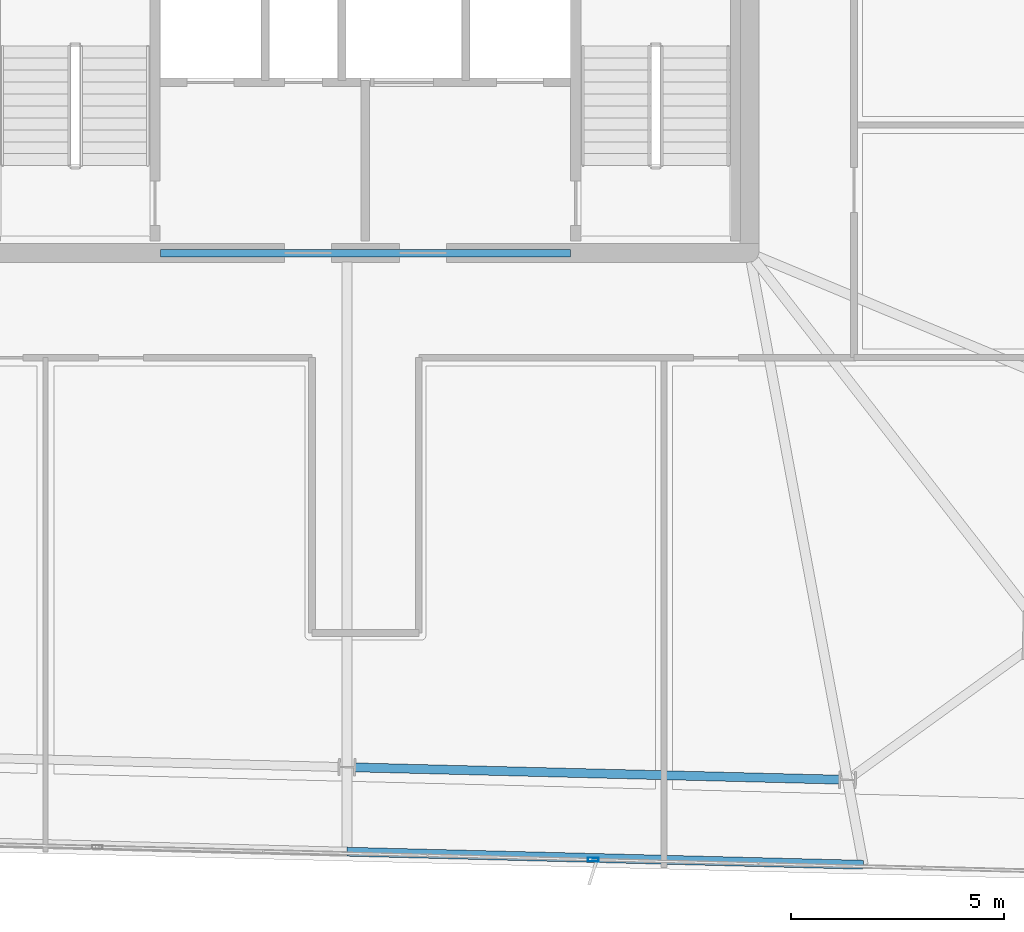
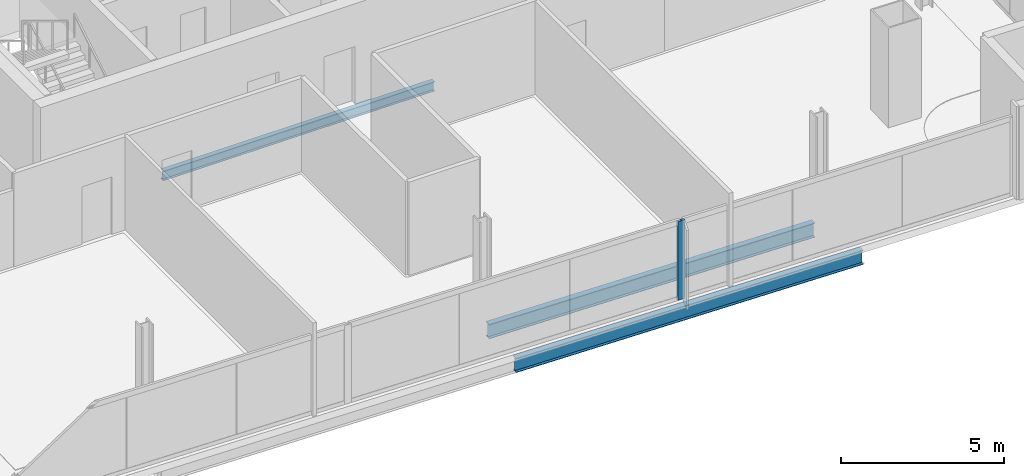
# One storey, part 5 of 25: 3 beams, 1 member, 1 element without a shape of its own.
"""IFC4 building model written with IfcOpenShell, lengths in metres."""

from ifc_helpers import new_model, si_unit, direction, frame, origin, origin_2d, place, context, subcontext, project, spatial, hollow_rectangle, i_section, extrude, material, material_profile, profile_set, type_object, element, aggregate, save


model = new_model("IFC4")

# Units and contexts
model_context = context("Model", 3, precision=1e-05, world=origin(), true_north=direction((0.0, 1.0)))
body_context = subcontext(model_context, "Body", "Model", "MODEL_VIEW")
ifc_project = project(units=[si_unit("LENGTHUNIT", "METRE"), si_unit("AREAUNIT", "SQUARE_METRE"), si_unit("VOLUMEUNIT", "CUBIC_METRE"), si_unit("PLANEANGLEUNIT", "RADIAN"), si_unit("MASSUNIT", "GRAM", prefix="KILO")], contexts=[model_context])

# Site, building, storey
site_placement = place(None, origin())
site = spatial("IfcSite", under=ifc_project, at=site_placement, CompositionType="ELEMENT")
building_placement = place(site_placement, origin())
building = spatial("IfcBuilding", under=site, at=building_placement, Name="Haldenkirk Collegiate Tower", CompositionType="ELEMENT")
storey_placement = place(building_placement, frame((0.0, 0.0, 325.199951171875)))
storey = spatial("IfcBuildingStorey", under=building, at=storey_placement, Name="L82", CompositionType="ELEMENT", Elevation=325.199951171875)

# Beams
ifc_material_1 = material(Name="Steel ASTM A992 Grade 50", Category="steel")
ifc_material_profile_1 = material_profile(ifc_material_1, i_section(OverallWidth=0.1708984375, OverallDepth=0.35595703125, WebThickness=0.007080078125, FlangeThickness=0.01171875, at=origin_2d()), Name="W14X34")
ifc_profile_set_1 = profile_set([ifc_material_profile_1], Name="Steel ASTM A992 Grade 50")
beam_type_1 = type_object("IfcBeamType", Name="BM-LINTEL-W14X34", PredefinedType="LINTEL", material=ifc_profile_set_1)
beam_1_placement = place(storey_placement, frame((31.199951171875, 18.0, -0.43798828125), z_axis=(1.0, 0.0, 0.0), x_axis=(0.0, 1.0, 0.0)))
element("IfcBeam", 1, at=beam_1_placement, inside=storey, type_object=beam_type_1, Name="L82 south core coupling lintel", PredefinedType="LINTEL", context=body_context, shape_type="SweptSolid", body=[
    extrude(i_section(OverallWidth=0.1708984375, OverallDepth=0.35595703125, WebThickness=0.007080078125, FlangeThickness=0.01171875, at=origin_2d()), origin(), (0.0, 0.0, 1.0), 9.60009765625),
])
ifc_material_profile_2 = material_profile(ifc_material_1, i_section(OverallWidth=0.2099609375, OverallDepth=0.537109375, WebThickness=0.010986328125, FlangeThickness=0.017333984375, at=origin_2d()), Name="W21X68")
ifc_profile_set_2 = profile_set([ifc_material_profile_2], Name="Steel ASTM A992 Grade 50")
beam_type_2 = type_object("IfcBeamType", Name="BM-SPANDREL-W21X68", PredefinedType="SPANDREL", material=ifc_profile_set_2)
beam_2_placement = place(storey_placement, frame((35.755615234375, 5.94970703125, -0.528564453125), z_axis=(0.999679850822, -0.025302092003, 0.0), x_axis=(0.025302092003, 0.999679850822, 0.0)))
element("IfcBeam", 2, at=beam_2_placement, inside=storey, type_object=beam_type_2, Name="L82 perimeter spandrel beam 15", PredefinedType="SPANDREL", context=body_context, shape_type="SweptSolid", body=[
    extrude(i_section(OverallWidth=0.2099609375, OverallDepth=0.537109375, WebThickness=0.010986328125, FlangeThickness=0.017333984375, at=origin_2d()), origin(), (0.0, 0.0, 1.0), 11.35693359375),
])
beam_3_placement = place(storey_placement, frame((35.567626953125, 3.973876953125, -0.528564453125), z_axis=(0.999679530978, -0.025314725815, 0.0), x_axis=(0.025314725815, 0.999679530978, 0.0)))
element("IfcBeam", 3, at=beam_3_placement, inside=storey, type_object=beam_type_2, Name="L82 outer facade edge beam 4B", PredefinedType="SPANDREL", context=body_context, shape_type="SweptSolid", body=[
    extrude(i_section(OverallWidth=0.2099609375, OverallDepth=0.537109375, WebThickness=0.010986328125, FlangeThickness=0.017333984375, at=origin_2d()), origin(), (0.0, 0.0, 1.0), 12.103515625),
])

# Curtain wall, member
ifc_material_2 = material(Name="Anodised architectural bronze aluminium", Category="aluminium")
curtain_wall_type = type_object("IfcCurtainWallType", Name="CW-SYS1B-CONVEX-HI", PredefinedType="USERDEFINED", material=ifc_material_2)
curtain_wall_placement = place(storey_placement, origin())
curtain_wall = element("IfcCurtainWall", 4, at=curtain_wall_placement, inside=storey, type_object=curtain_wall_type, Name="L82 Upper tower high-wind convex bronze unitised curtain wall", ObjectType="UNITISED CURTAIN WALL", PredefinedType="USERDEFINED")
ifc_material_profile_3 = material_profile(ifc_material_2, hollow_rectangle(XDim=0.0849609375, YDim=0.25, WallThickness=0.0048828125, at=origin_2d()), Name="CW-MUL-1B")
ifc_profile_set_3 = profile_set([ifc_material_profile_3], Name="Anodised architectural bronze aluminium")
member_type = type_object("IfcMemberType", Name="CW-MUL-1B", PredefinedType="MULLION", material=ifc_profile_set_3)
member_placement = place(storey_placement, frame((41.339599609375, 3.787841796875, 0.0), z_axis=(0.0, 0.0, 1.0), x_axis=(-0.025301745011, -0.999679859605, 0.0)))
member = element("IfcMember", 5, at=member_placement, type_object=member_type, Name="CW-1B mullion 2", PredefinedType="MULLION", context=body_context, shape_type="SweptSolid", body=[
    extrude(hollow_rectangle(XDim=0.0849609375, YDim=0.25, WallThickness=0.0048828125, at=origin_2d()), origin(), (0.0, 0.0, 1.0), 2.947998046875),
])
aggregate(curtain_wall, [member])

save(model, "model.ifc")
